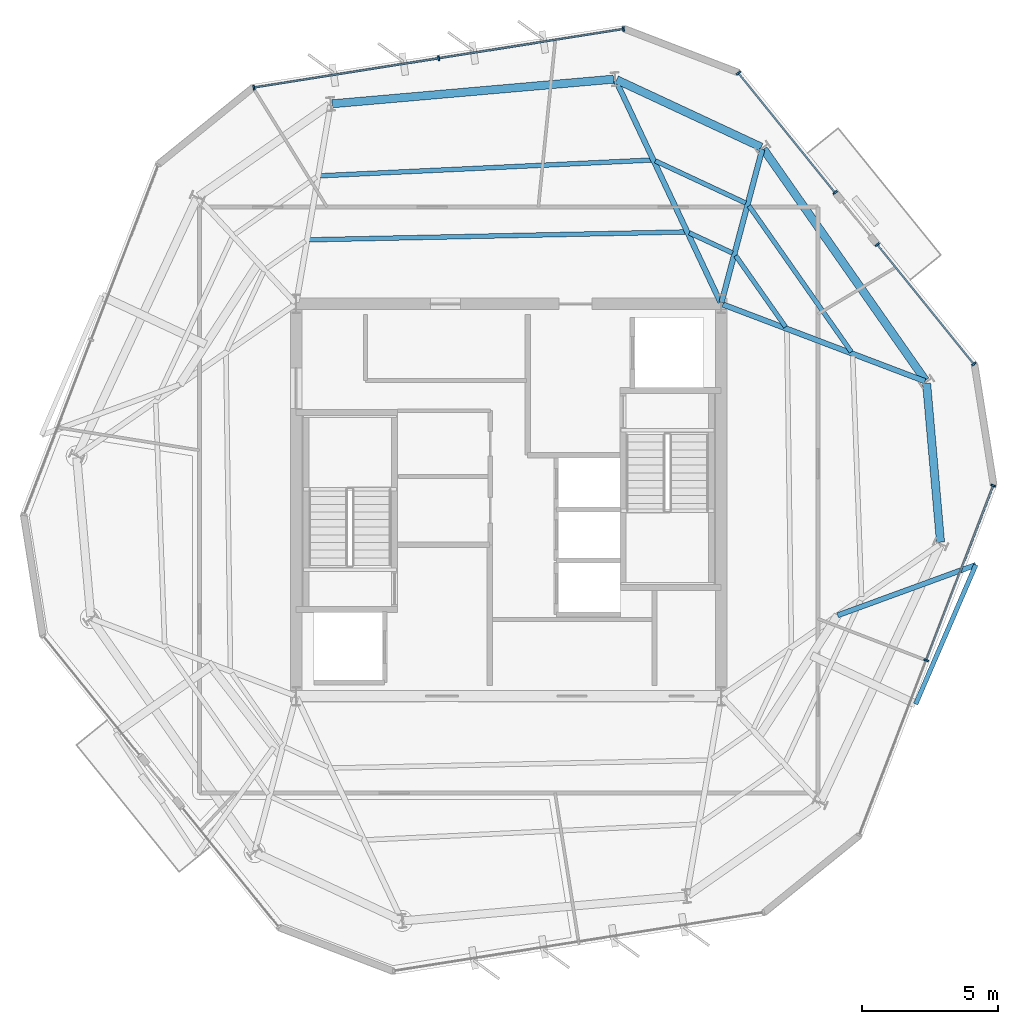
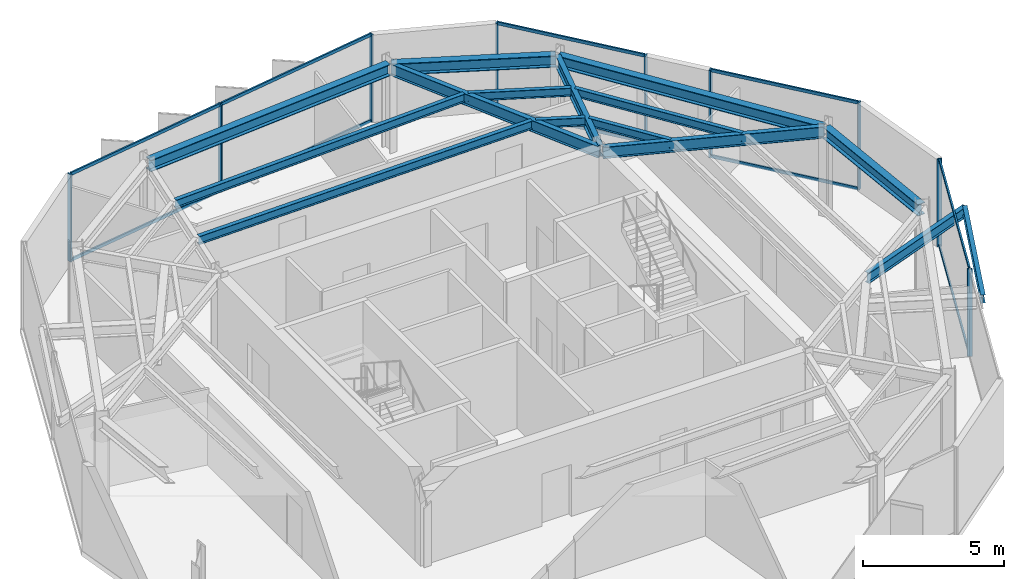
# One storey, part 5 of 10: 19 members, 15 beams, 4 elements without a shape of their own.
"""IFC4 building model written with IfcOpenShell, lengths in metres."""

import ifcopenshell
import ifcopenshell.guid

model = None  # the IFC model being written
_history = None  # IfcOwnerHistory: only IFC2X3 demands one
_inside = {}  # id of a spatial element -> (the spatial element, [elements in it])
_under = {}  # id of a project, library or spatial element -> (it, [spatial elements below it])
_declared = {}  # id of a project -> (the project, [libraries it declares])
_typed = {}  # id of a type object -> (the type object, [elements of that type])
_made_of = {}  # id of a material, layer set ... -> (it, [elements and type objects made of it])


def new_model(schema):
    """Start an empty IFC model of exactly this schema.

    Asked for "IFC4X3", IfcOpenShell would pick the latest addendum, in which some entities
    have other attributes; the version numbers below select the first issue.
    IFC2X3 requires an IfcOwnerHistory on every rooted entity: one is made here for all.
    """
    global model, _history
    if schema == "IFC4X3":
        model = ifcopenshell.file(schema_version=(4, 3, 0, 0))
    else:
        model = ifcopenshell.file(schema=schema)
    _inside.clear()
    _under.clear()
    _declared.clear()
    _typed.clear()
    _made_of.clear()
    _history = None
    if model.schema == "IFC2X3":
        org = make("IfcOrganization", Name="unknown")
        user = make(
            "IfcPersonAndOrganization",
            ThePerson=make("IfcPerson", FamilyName="unknown"),
            TheOrganization=org,
        )
        app = make(
            "IfcApplication",
            ApplicationDeveloper=org,
            Version="unknown",
            ApplicationFullName="unknown",
            ApplicationIdentifier="unknown",
        )
        _history = make(
            "IfcOwnerHistory",
            OwningUser=user,
            OwningApplication=app,
            ChangeAction="ADDED",
            CreationDate=0,
        )
    return model


def make(cls, **values):
    """One entity of the class cls with the attributes given. An attribute that is None is left unset."""
    return model.create_entity(
        cls, **{name: value for name, value in values.items() if value is not None}
    )


def rooted(cls, **values):
    """An entity with a GlobalId (a new one), such as an element, a storey or a relation."""
    return make(cls, GlobalId=ifcopenshell.guid.new(), OwnerHistory=_history, **values)


def si_unit(unit_type, name, prefix=None):
    """IfcSIUnit, for example si_unit("LENGTHUNIT", "METRE", prefix="MILLI")."""
    return make("IfcSIUnit", UnitType=unit_type, Prefix=prefix, Name=name)


def assignment(units):
    """IfcUnitAssignment: the units of a project."""
    return None if units is None else make("IfcUnitAssignment", Units=units)


def point(xyz):
    """IfcCartesianPoint."""
    return None if xyz is None else make("IfcCartesianPoint", Coordinates=xyz)


def direction(xyz):
    """IfcDirection."""
    return None if xyz is None else make("IfcDirection", DirectionRatios=xyz)


def frame(location, z_axis=None, x_axis=None):
    """IfcAxis2Placement3D, a coordinate frame: its origin and axes. An axis left out is left unset."""
    return make(
        "IfcAxis2Placement3D",
        Location=point(location),
        Axis=direction(z_axis),
        RefDirection=direction(x_axis),
    )


def frame_2d(location, x_axis=None):
    """IfcAxis2Placement2D, a coordinate frame in the plane: its origin and x axis."""
    return make(
        "IfcAxis2Placement2D", Location=point(location), RefDirection=direction(x_axis)
    )


def origin():
    """The frame at (0, 0, 0) with its axes left unset."""
    return frame((0.0, 0.0, 0.0))


def origin_2d():
    """The frame at (0, 0) in the plane with its x axis left unset."""
    return frame_2d((0.0, 0.0))


def place(relative_to, where):
    """IfcLocalPlacement: puts the frame where relative to a parent placement (None: the world)."""
    return make(
        "IfcLocalPlacement", PlacementRelTo=relative_to, RelativePlacement=where
    )


def context(
    kind, dimensions, precision=None, world=None, true_north=None, identifier=None
):
    """IfcGeometricRepresentationContext, for example the 3D "Model" context."""
    return make(
        "IfcGeometricRepresentationContext",
        ContextIdentifier=identifier,
        ContextType=kind,
        CoordinateSpaceDimension=dimensions,
        Precision=precision,
        WorldCoordinateSystem=world,
        TrueNorth=true_north,
    )


def subcontext(parent, identifier, kind, view, scale=None):
    """IfcGeometricRepresentationSubContext, for example "Body" below "Model"."""
    return make(
        "IfcGeometricRepresentationSubContext",
        ContextIdentifier=identifier,
        ContextType=kind,
        ParentContext=parent,
        TargetScale=scale,
        TargetView=view,
    )


def project(units=None, contexts=None):
    """IfcProject with its units and contexts."""
    return rooted(
        "IfcProject",
        Name="project",
        RepresentationContexts=contexts,
        UnitsInContext=assignment(units),
    )


def spatial(cls, under=None, at=None, **own):
    """A site, building, storey or space (cls), placed at a placement, below another one or the project."""
    s = rooted(cls, ObjectPlacement=at, **own)
    if under is not None:
        _under.setdefault(under.id(), (under, []))[1].append(s)
    return s


def profile(cls, at=None, kind="AREA", **sizes):
    """A parametric profile (cls). Its sizes go by their IFC names, for example OverallWidth=200.0."""
    return make(cls, ProfileType=kind, Position=at, **sizes)


def rectangle(**sizes):
    """IfcRectangleProfileDef."""
    return profile("IfcRectangleProfileDef", **sizes)


def i_section(**sizes):
    """IfcIShapeProfileDef."""
    return profile("IfcIShapeProfileDef", **sizes)


def extrude(swept, where, along, depth):
    """IfcExtrudedAreaSolid: the profile swept, set in the frame where, extruded along a direction by depth."""
    return make(
        "IfcExtrudedAreaSolid",
        SweptArea=swept,
        Position=where,
        ExtrudedDirection=direction(along),
        Depth=depth,
    )


def shape(context_of_items, identifier, shape_type, items):
    """IfcShapeRepresentation: the items that make up one representation, for example the "Body"."""
    return make(
        "IfcShapeRepresentation",
        ContextOfItems=context_of_items,
        RepresentationIdentifier=identifier,
        RepresentationType=shape_type,
        Items=items,
    )


def material(Name=None, Category=None):
    """IfcMaterial."""
    return make("IfcMaterial", Name=Name, Category=Category)


def layer(
    of_material, thickness, ventilated=None, Name=None, Category=None, Priority=None
):
    """IfcMaterialLayer: one layer of a wall or slab, of a material (None: an air gap)."""
    return make(
        "IfcMaterialLayer",
        Material=of_material,
        LayerThickness=thickness,
        IsVentilated=ventilated,
        Name=Name,
        Category=Category,
        Priority=Priority,
    )


def layer_set(layers, Name=None):
    """IfcMaterialLayerSet."""
    return make("IfcMaterialLayerSet", MaterialLayers=layers, LayerSetName=Name)


def material_profile(
    of_material, cross_section, Name=None, Category=None, Priority=None
):
    """IfcMaterialProfile: a cross section and its material."""
    return make(
        "IfcMaterialProfile",
        Name=Name,
        Material=of_material,
        Profile=cross_section,
        Priority=Priority,
        Category=Category,
    )


def profile_set(profiles, Name=None, composite=None):
    """IfcMaterialProfileSet."""
    return make(
        "IfcMaterialProfileSet",
        Name=Name,
        MaterialProfiles=profiles,
        CompositeProfile=composite,
    )


def made_of(thing, what):
    """Note that an element or type object is made of a material, layer set ...; save() writes the relation."""
    if what is not None:
        _made_of.setdefault(what.id(), (what, []))[1].append(thing)
    return thing


def type_object(cls, material=None, **own):
    """A type object (cls), such as IfcWallType, which elements share."""
    return made_of(rooted(cls, **own), material)


def element(
    cls,
    number,
    at=None,
    inside=None,
    cuts=None,
    type_object=None,
    material=None,
    context=None,
    identifier="Body",
    shape_type=None,
    held_by="IfcProductDefinitionShape",
    body=None,
    shapes=None,
    **own,
):
    """One element of the class cls, such as IfcWall. Its Tag is "e" and its number.

    at: its placement. inside: the storey or other place that contains it. cuts: it is an
    opening in that element (IfcRelVoidsElement). A single representation is given by context,
    identifier, shape_type and body (its items); several are given by shapes. held_by: the class
    of the entity that holds the representations. save() writes the other relations.
    """
    e = rooted(cls, Tag="e%d" % number, ObjectPlacement=at, **own)
    if body is not None:
        shapes = [shape(context, identifier, shape_type, body)]
    if shapes is not None:
        e.Representation = make(held_by, Representations=shapes)
    if inside is not None:
        _inside.setdefault(inside.id(), (inside, []))[1].append(e)
    if cuts is not None:
        rooted(
            "IfcRelVoidsElement", RelatingBuildingElement=cuts, RelatedOpeningElement=e
        )
    if type_object is not None:
        _typed.setdefault(type_object.id(), (type_object, []))[1].append(e)
    return made_of(e, material)


def aggregate(whole, parts):
    """IfcRelAggregates: a whole, such as a stair, and the parts it consists of."""
    return rooted("IfcRelAggregates", RelatingObject=whole, RelatedObjects=parts)


def save(model, path):
    """Write the relations noted so far, then the file.

    IfcRelAggregates (storeys below a building ...), IfcRelContainedInSpatialStructure (elements
    in a storey), IfcRelDefinesByType, IfcRelAssociatesMaterial and IfcRelDeclares: one each for
    every whole, place, type object, material and project.
    """
    for whole, parts in _under.values():
        aggregate(whole, parts)
    for where, things in _inside.values():
        rooted(
            "IfcRelContainedInSpatialStructure",
            RelatedElements=things,
            RelatingStructure=where,
        )
    for kind, things in _typed.values():
        rooted("IfcRelDefinesByType", RelatedObjects=things, RelatingType=kind)
    for what, things in _made_of.values():
        rooted("IfcRelAssociatesMaterial", RelatedObjects=things, RelatingMaterial=what)
    for by, libraries in _declared.values():
        rooted("IfcRelDeclares", RelatingContext=by, RelatedDefinitions=libraries)
    model.write(path)


model = new_model("IFC4")

# Units and contexts
model_context = context("Model", 3, precision=1e-05, world=origin(), true_north=direction((0.0, 1.0)))
body_context = subcontext(model_context, "Body", "Model", "MODEL_VIEW")
ifc_project = project(units=[si_unit("LENGTHUNIT", "METRE"), si_unit("AREAUNIT", "SQUARE_METRE"), si_unit("VOLUMEUNIT", "CUBIC_METRE"), si_unit("PLANEANGLEUNIT", "RADIAN"), si_unit("MASSUNIT", "GRAM", prefix="KILO")], contexts=[model_context])

# Site, building, storey
site_placement = place(None, origin())
site = spatial("IfcSite", under=ifc_project, at=site_placement, CompositionType="ELEMENT")
building_placement = place(site_placement, origin())
building = spatial("IfcBuilding", under=site, at=building_placement, Name="Kranzbogen Civic Tower", CompositionType="ELEMENT")
storey_placement = place(building_placement, frame((0.0, 0.0, 302.199951171875)))
storey = spatial("IfcBuildingStorey", under=building, at=storey_placement, Name="L73", CompositionType="ELEMENT", Elevation=302.199951171875)

# Beam
ifc_material_1 = material(Name="Steel S355", Category="steel")
ifc_material_profile_1 = material_profile(ifc_material_1, i_section(OverallWidth=0.18994140625, OverallDepth=0.449951171875, WebThickness=0.009521484375, FlangeThickness=0.0146484375, at=origin_2d()), Name="IPE 450")
ifc_profile_set_1 = profile_set([ifc_material_profile_1], Name="Steel S355")
beam_type_1 = type_object("IfcBeamType", Name="Braced Terrace Edge Beam IPE 450", PredefinedType="BEAM", material=ifc_profile_set_1)
beam_1_placement = place(storey_placement, frame((37.075927734375, 20.76708984375, 3.525146484375), z_axis=(0.939213597801, 0.343333391481, 0.0), x_axis=(-0.343333391481, 0.939213597801, 0.0)))
element("IfcBeam", 1, at=beam_1_placement, inside=storey, type_object=beam_type_1, Name="L74 back-spanned terrace beam L74-TB2-2", PredefinedType="BEAM", context=body_context, shape_type="SweptSolid", body=[
    extrude(i_section(OverallWidth=0.18994140625, OverallDepth=0.449951171875, WebThickness=0.009521484375, FlangeThickness=0.0146484375, at=origin_2d()), origin(), (0.0, 0.0, 1.0), 5.397216796875),
])

# Curtain wall, members
ifc_material_2 = material(Name="Pale Anodised Aluminium", Category="aluminium")
ifc_layer = layer(ifc_material_2, 0.219970703125, Name="Pale Anodised Aluminium")
ifc_layer_set = layer_set([ifc_layer], Name="Pale Anodised Aluminium")
curtain_wall_type = type_object("IfcCurtainWallType", Name="Zone 4 Stick Curtain Wall System CW-05", PredefinedType="USERDEFINED", material=ifc_layer_set)
curtain_wall_1_placement = place(storey_placement, origin())
curtain_wall_1 = element("IfcCurtainWall", 2, at=curtain_wall_1_placement, inside=storey, type_object=curtain_wall_type, Name="L73 curtain wall CW-L73-F1", ObjectType="STICK CURTAIN WALL", PredefinedType="USERDEFINED")
ifc_material_profile_2 = material_profile(ifc_material_2, rectangle(XDim=0.06494140625, YDim=0.179931640625, at=origin_2d()), Name="ALU-M 65x180")
ifc_profile_set_2 = profile_set([ifc_material_profile_2], Name="Pale Anodised Aluminium")
member_type_1 = type_object("IfcMemberType", Name="Curtain Wall Mullion ALU-M 65x180", PredefinedType="MULLION", material=ifc_profile_set_2)
member_1_placement = place(storey_placement, frame((29.21630859375, 42.284423828125, 0.0), z_axis=(0.0, 0.0, 1.0), x_axis=(-0.987689979988, -0.156424113968, 0.0)))
member_1 = element("IfcMember", 3, at=member_1_placement, type_object=member_type_1, Name="CW-05 mullion 1", PredefinedType="MULLION", context=body_context, shape_type="SweptSolid", body=[
    extrude(rectangle(XDim=0.06494140625, YDim=0.179931640625, at=origin_2d()), origin(), (0.0, 0.0, 1.0), 3.780029296875),
])
member_2_placement = place(storey_placement, frame((22.43310546875, 41.2099609375, 0.0), z_axis=(0.0, 0.0, 1.0), x_axis=(-0.987689979988, -0.156424113968, 0.0)))
member_2 = element("IfcMember", 4, at=member_2_placement, type_object=member_type_1, Name="CW-05 mullion 2", PredefinedType="MULLION", context=body_context, shape_type="SweptSolid", body=[
    extrude(rectangle(XDim=0.06494140625, YDim=0.179931640625, at=origin_2d()), origin(), (0.0, 0.0, 1.0), 3.780029296875),
])
member_3_placement = place(storey_placement, frame((15.649658203125, 40.1357421875, 0.0), z_axis=(0.0, 0.0, 1.0), x_axis=(-0.987689979988, -0.156424113968, 0.0)))
member_3 = element("IfcMember", 5, at=member_3_placement, type_object=member_type_1, Name="CW-05 mullion 3", PredefinedType="MULLION", context=body_context, shape_type="SweptSolid", body=[
    extrude(rectangle(XDim=0.06494140625, YDim=0.179931640625, at=origin_2d()), origin(), (0.0, 0.0, 1.0), 3.780029296875),
])

curtain_wall_2_placement = place(storey_placement, origin())
curtain_wall_2 = element("IfcCurtainWall", 6, at=curtain_wall_2_placement, inside=storey, type_object=curtain_wall_type, Name="L73 curtain wall CW-L73-F5", ObjectType="STICK CURTAIN WALL", PredefinedType="USERDEFINED")
member_4_placement = place(storey_placement, frame((40.322021484375, 19.118408203125, 0.0), z_axis=(0.0, 0.0, 1.0), x_axis=(0.358381538796, 0.933575209959, 0.0)))
member_4 = element("IfcMember", 7, at=member_4_placement, type_object=member_type_1, Name="CW-05 mullion 2", PredefinedType="MULLION", context=body_context, shape_type="SweptSolid", body=[
    extrude(rectangle(XDim=0.06494140625, YDim=0.179931640625, at=origin_2d()), origin(), (0.0, 0.0, 1.0), 3.780029296875),
])
member_5_placement = place(storey_placement, frame((42.783203125, 25.530029296875, 0.0), z_axis=(0.0, 0.0, 1.0), x_axis=(0.358381538796, 0.933575209959, 0.0)))
member_5 = element("IfcMember", 8, at=member_5_placement, type_object=member_type_1, Name="CW-05 mullion 3", PredefinedType="MULLION", context=body_context, shape_type="SweptSolid", body=[
    extrude(rectangle(XDim=0.06494140625, YDim=0.179931640625, at=origin_2d()), origin(), (0.0, 0.0, 1.0), 3.780029296875),
])

curtain_wall_3_placement = place(storey_placement, origin())
curtain_wall_3 = element("IfcCurtainWall", 9, at=curtain_wall_3_placement, inside=storey, type_object=curtain_wall_type, Name="L73 curtain wall CW-L73-F6-S1", ObjectType="STICK CURTAIN WALL", PredefinedType="USERDEFINED")
member_6_placement = place(storey_placement, frame((42.0771484375, 29.9912109375, 0.0), z_axis=(0.0, 0.0, 1.0), x_axis=(-0.629349677234, 0.777122245059, 0.0)))
member_6 = element("IfcMember", 10, at=member_6_placement, type_object=member_type_1, Name="CW-05 mullion 1", PredefinedType="MULLION", context=body_context, shape_type="SweptSolid", body=[
    extrude(rectangle(XDim=0.06494140625, YDim=0.179931640625, at=origin_2d()), origin(), (0.0, 0.0, 1.0), 3.780029296875),
])
member_7_placement = place(storey_placement, frame((38.52880859375, 34.372802734375, 0.0), z_axis=(0.0, 0.0, 1.0), x_axis=(-0.629349677234, 0.777122245059, 0.0)))
member_7 = element("IfcMember", 11, at=member_7_placement, type_object=member_type_1, Name="CW-05 mullion 2", PredefinedType="MULLION", context=body_context, shape_type="SweptSolid", body=[
    extrude(rectangle(XDim=0.06494140625, YDim=0.179931640625, at=origin_2d()), origin(), (0.0, 0.0, 1.0), 3.780029296875),
])

curtain_wall_4_placement = place(storey_placement, origin())
curtain_wall_4 = element("IfcCurtainWall", 12, at=curtain_wall_4_placement, inside=storey, type_object=curtain_wall_type, Name="L73 curtain wall CW-L73-F6-S2", ObjectType="STICK CURTAIN WALL", PredefinedType="USERDEFINED")
member_8_placement = place(storey_placement, frame((36.981201171875, 36.285400390625, 0.0), z_axis=(0.0, 0.0, 1.0), x_axis=(-0.629349677234, 0.777122245059, 0.0)))
member_8 = element("IfcMember", 13, at=member_8_placement, type_object=member_type_1, Name="CW-05 mullion 1", PredefinedType="MULLION", context=body_context, shape_type="SweptSolid", body=[
    extrude(rectangle(XDim=0.06494140625, YDim=0.179931640625, at=origin_2d()), origin(), (0.0, 0.0, 1.0), 3.780029296875),
])
member_9_placement = place(storey_placement, frame((33.432861328125, 40.666748046875, 0.0), z_axis=(0.0, 0.0, 1.0), x_axis=(-0.629349677234, 0.777122245059, 0.0)))
member_9 = element("IfcMember", 14, at=member_9_placement, type_object=member_type_1, Name="CW-05 mullion 2", PredefinedType="MULLION", context=body_context, shape_type="SweptSolid", body=[
    extrude(rectangle(XDim=0.06494140625, YDim=0.179931640625, at=origin_2d()), origin(), (0.0, 0.0, 1.0), 3.780029296875),
])

# Member
ifc_material_profile_3 = material_profile(ifc_material_2, rectangle(XDim=0.06494140625, YDim=0.135009765625, at=origin_2d()), Name="ALU-T 65x135")
ifc_profile_set_3 = profile_set([ifc_material_profile_3], Name="Pale Anodised Aluminium")
member_type_2 = type_object("IfcMemberType", Name="Curtain Wall Transom ALU-T 65x135", PredefinedType="USERDEFINED", material=ifc_profile_set_3)
member_10_placement = place(storey_placement, frame((29.186767578125, 42.279541015625, 0.030029296875), z_axis=(-0.987689583132, -0.156426619767, 0.0), x_axis=(0.156426619767, -0.987689583132, 0.0)))
member_10 = element("IfcMember", 15, at=member_10_placement, type_object=member_type_2, Name="CW-05 transom 1.1", ObjectType="TRANSOM", PredefinedType="USERDEFINED", context=body_context, shape_type="SweptSolid", body=[
    extrude(rectangle(XDim=0.06494140625, YDim=0.135009765625, at=origin_2d()), origin(), (0.0, 0.0, 1.0), 6.807861328125),
])

member_11_placement = place(storey_placement, frame((29.186767578125, 42.279541015625, 3.75), z_axis=(-0.987689583132, -0.156426619767, 0.0), x_axis=(0.156426619767, -0.987689583132, 0.0)))
member_11 = element("IfcMember", 16, at=member_11_placement, type_object=member_type_2, Name="CW-05 transom 1.2", ObjectType="TRANSOM", PredefinedType="USERDEFINED", context=body_context, shape_type="SweptSolid", body=[
    extrude(rectangle(XDim=0.06494140625, YDim=0.135009765625, at=origin_2d()), origin(), (0.0, 0.0, 1.0), 6.807861328125),
])

member_12_placement = place(storey_placement, frame((22.4033203125, 41.205322265625, 0.030029296875), z_axis=(-0.987689583132, -0.156426619767, 0.0), x_axis=(0.156426619767, -0.987689583132, 0.0)))
member_12 = element("IfcMember", 17, at=member_12_placement, type_object=member_type_2, Name="CW-05 transom 2.1", ObjectType="TRANSOM", PredefinedType="USERDEFINED", context=body_context, shape_type="SweptSolid", body=[
    extrude(rectangle(XDim=0.06494140625, YDim=0.135009765625, at=origin_2d()), origin(), (0.0, 0.0, 1.0), 6.807861328125),
])

member_13_placement = place(storey_placement, frame((22.4033203125, 41.205322265625, 3.75), z_axis=(-0.987689583132, -0.156426619767, 0.0), x_axis=(0.156426619767, -0.987689583132, 0.0)))
member_13 = element("IfcMember", 18, at=member_13_placement, type_object=member_type_2, Name="CW-05 transom 2.2", ObjectType="TRANSOM", PredefinedType="USERDEFINED", context=body_context, shape_type="SweptSolid", body=[
    extrude(rectangle(XDim=0.06494140625, YDim=0.135009765625, at=origin_2d()), origin(), (0.0, 0.0, 1.0), 6.807861328125),
])

aggregate(curtain_wall_1, [member_1, member_2, member_3, member_10, member_11, member_12, member_13])

member_14_placement = place(storey_placement, frame((40.332763671875, 19.146484375, 0.030029296875), z_axis=(0.358375808773, 0.933577409584, 0.0), x_axis=(-0.933577409584, 0.358375808773, 0.0)))
member_14 = element("IfcMember", 19, at=member_14_placement, type_object=member_type_2, Name="CW-05 transom 2.1", ObjectType="TRANSOM", PredefinedType="USERDEFINED", context=body_context, shape_type="SweptSolid", body=[
    extrude(rectangle(XDim=0.06494140625, YDim=0.135009765625, at=origin_2d()), origin(), (0.0, 0.0, 1.0), 6.8076171875),
])

member_15_placement = place(storey_placement, frame((40.332763671875, 19.146484375, 3.75), z_axis=(0.358375808773, 0.933577409584, 0.0), x_axis=(-0.933577409584, 0.358375808773, 0.0)))
member_15 = element("IfcMember", 20, at=member_15_placement, type_object=member_type_2, Name="CW-05 transom 2.2", ObjectType="TRANSOM", PredefinedType="USERDEFINED", context=body_context, shape_type="SweptSolid", body=[
    extrude(rectangle(XDim=0.06494140625, YDim=0.135009765625, at=origin_2d()), origin(), (0.0, 0.0, 1.0), 6.8076171875),
])

aggregate(curtain_wall_2, [member_4, member_5, member_14, member_15])

member_16_placement = place(storey_placement, frame((42.058349609375, 30.0146484375, 0.030029296875), z_axis=(-0.629354345367, 0.777118464565, 0.0), x_axis=(-0.777118464565, -0.629354345367, 0.0)))
member_16 = element("IfcMember", 21, at=member_16_placement, type_object=member_type_2, Name="CW-05 transom 1.1", ObjectType="TRANSOM", PredefinedType="USERDEFINED", context=body_context, shape_type="SweptSolid", body=[
    extrude(rectangle(XDim=0.06494140625, YDim=0.135009765625, at=origin_2d()), origin(), (0.0, 0.0, 1.0), 5.577880859375),
])

member_17_placement = place(storey_placement, frame((42.058349609375, 30.0146484375, 3.75), z_axis=(-0.629354345367, 0.777118464565, 0.0), x_axis=(-0.777118464565, -0.629354345367, 0.0)))
member_17 = element("IfcMember", 22, at=member_17_placement, type_object=member_type_2, Name="CW-05 transom 1.2", ObjectType="TRANSOM", PredefinedType="USERDEFINED", context=body_context, shape_type="SweptSolid", body=[
    extrude(rectangle(XDim=0.06494140625, YDim=0.135009765625, at=origin_2d()), origin(), (0.0, 0.0, 1.0), 5.577880859375),
])

aggregate(curtain_wall_3, [member_6, member_7, member_16, member_17])

member_18_placement = place(storey_placement, frame((36.962158203125, 36.30859375, 0.030029296875), z_axis=(-0.629354345367, 0.777118464565, 0.0), x_axis=(-0.777118464565, -0.629354345367, 0.0)))
member_18 = element("IfcMember", 23, at=member_18_placement, type_object=member_type_2, Name="CW-05 transom 1.1", ObjectType="TRANSOM", PredefinedType="USERDEFINED", context=body_context, shape_type="SweptSolid", body=[
    extrude(rectangle(XDim=0.06494140625, YDim=0.135009765625, at=origin_2d()), origin(), (0.0, 0.0, 1.0), 5.577880859375),
])

member_19_placement = place(storey_placement, frame((36.962158203125, 36.30859375, 3.75), z_axis=(-0.629354345367, 0.777118464565, 0.0), x_axis=(-0.777118464565, -0.629354345367, 0.0)))
member_19 = element("IfcMember", 24, at=member_19_placement, type_object=member_type_2, Name="CW-05 transom 1.2", ObjectType="TRANSOM", PredefinedType="USERDEFINED", context=body_context, shape_type="SweptSolid", body=[
    extrude(rectangle(XDim=0.06494140625, YDim=0.135009765625, at=origin_2d()), origin(), (0.0, 0.0, 1.0), 5.577880859375),
])

aggregate(curtain_wall_4, [member_8, member_9, member_18, member_19])

# Beams
ifc_material_profile_4 = material_profile(ifc_material_1, i_section(OverallWidth=0.300048828125, OverallDepth=0.5, WebThickness=0.014404296875, FlangeThickness=0.028076171875, at=origin_2d()), Name="HEB 500")
ifc_profile_set_4 = profile_set([ifc_material_profile_4], Name="Steel S355")
beam_type_2 = type_object("IfcBeamType", Name="Perimeter Tube Spandrel Beam HEB 500", PredefinedType="SPANDREL", material=ifc_profile_set_4)
beam_2_placement = place(storey_placement, frame((40.85009765625, 23.449951171875, 3.530029296875), z_axis=(-0.087326362434, 0.99617975608, 0.0), x_axis=(-0.99617975608, -0.087326362434, 0.0)))
element("IfcBeam", 25, at=beam_2_placement, inside=storey, type_object=beam_type_2, Name="L73 perimeter spandrel beam 06", PredefinedType="SPANDREL", context=body_context, shape_type="SweptSolid", body=[
    extrude(i_section(OverallWidth=0.300048828125, OverallDepth=0.5, WebThickness=0.014404296875, FlangeThickness=0.028076171875, at=origin_2d()), origin(), (0.0, 0.0, 1.0), 5.8515625),
])
beam_3_placement = place(storey_placement, frame((40.300048828125, 29.387939453125, 3.530029296875), z_axis=(-0.573577759301, 0.819151117948, 0.0), x_axis=(-0.819151117948, -0.573577759301, 0.0)))
element("IfcBeam", 26, at=beam_3_placement, inside=storey, type_object=beam_type_2, Name="L73 perimeter spandrel beam 07", PredefinedType="SPANDREL", context=body_context, shape_type="SweptSolid", body=[
    extrude(i_section(OverallWidth=0.300048828125, OverallDepth=0.5, WebThickness=0.014404296875, FlangeThickness=0.028076171875, at=origin_2d()), origin(), (0.0, 0.0, 1.0), 10.36328125),
])
beam_4_placement = place(storey_placement, frame((34.26806640625, 37.950927734375, 3.530029296875), z_axis=(-0.906289661556, 0.422657129784, 0.0), x_axis=(-0.422657129784, -0.906289661556, 0.0)))
element("IfcBeam", 27, at=beam_4_placement, inside=storey, type_object=beam_type_2, Name="L73 perimeter spandrel beam 08", PredefinedType="SPANDREL", context=body_context, shape_type="SweptSolid", body=[
    extrude(i_section(OverallWidth=0.300048828125, OverallDepth=0.5, WebThickness=0.014404296875, FlangeThickness=0.028076171875, at=origin_2d()), origin(), (0.0, 0.0, 1.0), 5.853759765625),
])
beam_5_placement = place(storey_placement, frame((28.84912109375, 40.445068359375, 3.530029296875), z_axis=(-0.996186373839, -0.087250837114, 0.0), x_axis=(0.087250837114, -0.996186373839, 0.0)))
element("IfcBeam", 28, at=beam_5_placement, inside=storey, type_object=beam_type_2, Name="L73 perimeter spandrel beam 09", PredefinedType="SPANDREL", context=body_context, shape_type="SweptSolid", body=[
    extrude(i_section(OverallWidth=0.300048828125, OverallDepth=0.5, WebThickness=0.014404296875, FlangeThickness=0.028076171875, at=origin_2d()), origin(), (0.0, 0.0, 1.0), 10.361572265625),
])
ifc_material_profile_5 = material_profile(ifc_material_1, i_section(OverallWidth=0.199951171875, OverallDepth=0.5, WebThickness=0.01025390625, FlangeThickness=0.01611328125, at=origin_2d()), Name="IPE 500")
ifc_profile_set_5 = profile_set([ifc_material_profile_5], Name="Steel S355")
beam_type_3 = type_object("IfcBeamType", Name="Radial Tower Floor Girder IPE 500", PredefinedType="BEAM", material=ifc_profile_set_5)
beam_6_placement = place(storey_placement, frame((40.278076171875, 29.360107421875, 3.530029296875), z_axis=(-0.934848709689, 0.355046320913, 0.0), x_axis=(-0.355046320913, -0.934848709689, 0.0)))
element("IfcBeam", 29, at=beam_6_placement, inside=storey, type_object=beam_type_3, Name="L73 radial floor girder 07", PredefinedType="BEAM", context=body_context, shape_type="SweptSolid", body=[
    extrude(i_section(OverallWidth=0.199951171875, OverallDepth=0.5, WebThickness=0.01025390625, FlangeThickness=0.01611328125, at=origin_2d()), origin(), (0.0, 0.0, 1.0), 7.939453125),
])
beam_7_placement = place(storey_placement, frame((34.306884765625, 37.867919921875, 3.530029296875), z_axis=(-0.257016017622, -0.966407143333, 0.0), x_axis=(0.966407143333, -0.257016017622, 0.0)))
element("IfcBeam", 30, at=beam_7_placement, inside=storey, type_object=beam_type_3, Name="L73 radial floor girder 08", PredefinedType="BEAM", context=body_context, shape_type="SweptSolid", body=[
    extrude(i_section(OverallWidth=0.199951171875, OverallDepth=0.5, WebThickness=0.01025390625, FlangeThickness=0.01611328125, at=origin_2d()), origin(), (0.0, 0.0, 1.0), 5.804931640625),
])
beam_8_placement = place(storey_placement, frame((28.93505859375, 40.39599609375, 3.530029296875), z_axis=(0.426460441273, -0.904506214478, 0.0), x_axis=(0.904506214478, 0.426460441273, 0.0)))
element("IfcBeam", 31, at=beam_8_placement, inside=storey, type_object=beam_type_3, Name="L73 radial floor girder 09", PredefinedType="BEAM", context=body_context, shape_type="SweptSolid", body=[
    extrude(i_section(OverallWidth=0.199951171875, OverallDepth=0.5, WebThickness=0.01025390625, FlangeThickness=0.01611328125, at=origin_2d()), origin(), (0.0, 0.0, 1.0), 9.001708984375),
])
ifc_material_profile_6 = material_profile(ifc_material_1, i_section(OverallWidth=0.169921875, OverallDepth=0.360107421875, WebThickness=0.008056640625, FlangeThickness=0.0126953125, at=origin_2d()), Name="IPE 360")
ifc_profile_set_6 = profile_set([ifc_material_profile_6], Name="Steel S355")
beam_type_4 = type_object("IfcBeamType", Name="Secondary Composite Floor Joist IPE 360", PredefinedType="JOIST", material=ifc_profile_set_6)
beam_9_placement = place(storey_placement, frame((37.575927734375, 30.43408203125, 3.60009765625), z_axis=(-0.573499872939, 0.819205649235, 0.0), x_axis=(-0.819205649235, -0.573499872939, 0.0)))
element("IfcBeam", 32, at=beam_9_placement, inside=storey, type_object=beam_type_4, Name="L73 secondary floor joist 1.07", PredefinedType="JOIST", context=body_context, shape_type="SweptSolid", body=[
    extrude(i_section(OverallWidth=0.169921875, OverallDepth=0.360107421875, WebThickness=0.008056640625, FlangeThickness=0.0126953125, at=origin_2d()), origin(), (0.0, 0.0, 1.0), 6.549072265625),
])
beam_10_placement = place(storey_placement, frame((35.1650390625, 31.35009765625, 3.60009765625), z_axis=(-0.573498248491, 0.819206786457, 0.0), x_axis=(-0.819206786457, -0.573498248491, 0.0)))
element("IfcBeam", 33, at=beam_10_placement, inside=storey, type_object=beam_type_4, Name="L73 secondary floor joist 2.07", PredefinedType="JOIST", context=body_context, shape_type="SweptSolid", body=[
    extrude(i_section(OverallWidth=0.169921875, OverallDepth=0.360107421875, WebThickness=0.008056640625, FlangeThickness=0.0126953125, at=origin_2d()), origin(), (0.0, 0.0, 1.0), 3.194580078125),
])
beam_11_placement = place(storey_placement, frame((33.701904296875, 35.89794921875, 3.60009765625), z_axis=(-0.906303996948, 0.422626389517, 0.0), x_axis=(-0.422626389517, -0.906303996948, 0.0)))
element("IfcBeam", 34, at=beam_11_placement, inside=storey, type_object=beam_type_4, Name="L73 secondary floor joist 1.08", PredefinedType="JOIST", context=body_context, shape_type="SweptSolid", body=[
    extrude(i_section(OverallWidth=0.169921875, OverallDepth=0.360107421875, WebThickness=0.008056640625, FlangeThickness=0.0126953125, at=origin_2d()), origin(), (0.0, 0.0, 1.0), 3.6630859375),
])
beam_12_placement = place(storey_placement, frame((33.215087890625, 34.06591796875, 3.60009765625), z_axis=(-0.906432174342, 0.422351409751, 0.0), x_axis=(-0.422351409751, -0.906432174342, 0.0)))
element("IfcBeam", 35, at=beam_12_placement, inside=storey, type_object=beam_type_4, Name="L73 secondary floor joist 2.08", PredefinedType="JOIST", context=body_context, shape_type="SweptSolid", body=[
    extrude(i_section(OverallWidth=0.169921875, OverallDepth=0.360107421875, WebThickness=0.008056640625, FlangeThickness=0.0126953125, at=origin_2d()), origin(), (0.0, 0.0, 1.0), 1.751953125),
])
beam_13_placement = place(storey_placement, frame((30.22998046875, 37.47607421875, 3.60009765625), z_axis=(-0.998871634781, -0.047491654324, 0.0), x_axis=(0.047491654324, -0.998871634781, 0.0)))
element("IfcBeam", 36, at=beam_13_placement, inside=storey, type_object=beam_type_4, Name="L73 secondary floor joist 1.09", PredefinedType="JOIST", context=body_context, shape_type="SweptSolid", body=[
    extrude(i_section(OverallWidth=0.169921875, OverallDepth=0.360107421875, WebThickness=0.008056640625, FlangeThickness=0.0126953125, at=origin_2d()), origin(), (0.0, 0.0, 1.0), 12.152587890625),
])
beam_14_placement = place(storey_placement, frame((31.47509765625, 34.837890625, 3.60009765625), z_axis=(-0.999780746893, -0.020939392104, 0.0), x_axis=(0.020939392104, -0.999780746893, 0.0)))
element("IfcBeam", 37, at=beam_14_placement, inside=storey, type_object=beam_type_4, Name="L73 secondary floor joist 2.09", PredefinedType="JOIST", context=body_context, shape_type="SweptSolid", body=[
    extrude(i_section(OverallWidth=0.169921875, OverallDepth=0.360107421875, WebThickness=0.008056640625, FlangeThickness=0.0126953125, at=origin_2d()), origin(), (0.0, 0.0, 1.0), 13.79296875),
])
beam_15_placement = place(storey_placement, frame((39.93798828125, 17.510986328125, 3.570068359375), z_axis=(0.396559536039, 0.918009005607, 0.0), x_axis=(-0.918009005607, 0.396559536039, 0.0)))
element("IfcBeam", 38, at=beam_15_placement, inside=storey, type_object=beam_type_4, Name="L74 terrace outer edge trimmer L74-TB2", PredefinedType="JOIST", context=body_context, shape_type="SweptSolid", body=[
    extrude(i_section(OverallWidth=0.169921875, OverallDepth=0.360107421875, WebThickness=0.008056640625, FlangeThickness=0.0126953125, at=origin_2d()), origin(), (0.0, 0.0, 1.0), 5.5654296875),
])

save(model, "model.ifc")
